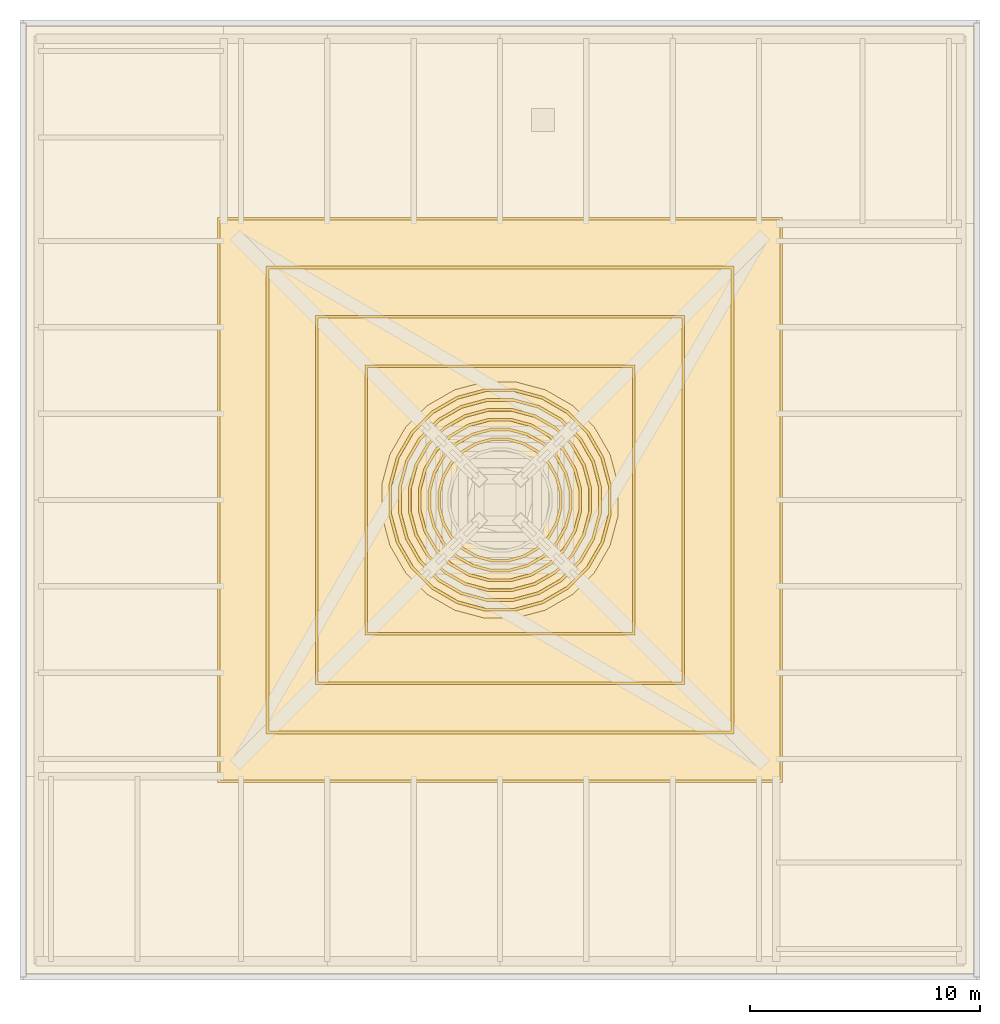
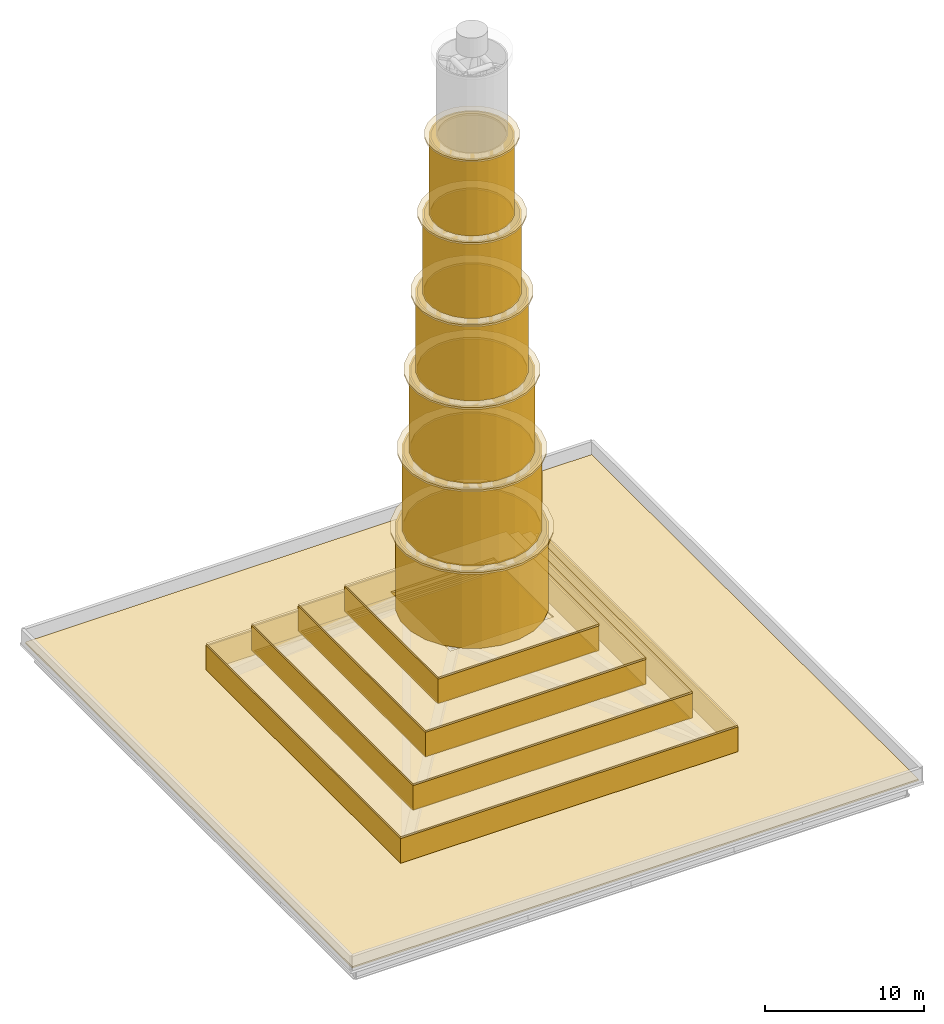
# One storey, part 3 of 4: 21 coverings.
"""IFC4 building model written with IfcOpenShell, lengths in metres."""

from ifc_helpers import new_model, si_unit, direction, frame, origin, place, context, subcontext, project, spatial, polyline, outline, extrude, material, layer, layer_set, type_object, element, save


model = new_model("IFC4")

# Units and contexts
model_context = context("Model", 3, precision=1e-05, world=origin(), true_north=direction((0.0, 1.0)))
body_context = subcontext(model_context, "Body", "Model", "MODEL_VIEW")
ifc_project = project(units=[si_unit("LENGTHUNIT", "METRE"), si_unit("AREAUNIT", "SQUARE_METRE"), si_unit("VOLUMEUNIT", "CUBIC_METRE"), si_unit("PLANEANGLEUNIT", "RADIAN"), si_unit("MASSUNIT", "GRAM", prefix="KILO")], contexts=[model_context])

# Site, building, storey
site_placement = place(None, origin())
site = spatial("IfcSite", under=ifc_project, at=site_placement, CompositionType="ELEMENT")
building_placement = place(site_placement, origin())
building = spatial("IfcBuilding", under=site, at=building_placement, Name="Tarangal Relay Tower", CompositionType="ELEMENT")
storey_placement = place(building_placement, frame((0.0, 0.0, 346.89990234375)))
storey = spatial("IfcBuildingStorey", under=building, at=storey_placement, Name="ROOF", CompositionType="ELEMENT", Elevation=346.89990234375)

# Coverings
ifc_material_1 = material(Name="Black anodised aluminium capping on aluminium rails", Category="aluminium")
ifc_layer_1 = layer(ifc_material_1, 0.14990234375)
ifc_layer_set_1 = layer_set([ifc_layer_1], Name="Crown hood capping")
covering_type_1 = type_object("IfcCoveringType", Name="Crown hood capping", PredefinedType="CLADDING", material=ifc_layer_set_1)
covering_1_placement = place(storey_placement, frame((0.0, 0.0, 2.01513671875)))
element("IfcCovering", 1, at=covering_1_placement, inside=storey, type_object=covering_type_1, Name="Crown hood tread CR2 step 1", PredefinedType="CLADDING", context=body_context, shape_type="SweptSolid", body=[
    extrude(outline(polyline([(-12.2802734375, -12.2802734375), (12.2802734375, -12.2802734375), (12.2802734375, 12.2802734375), (-12.2802734375, 12.2802734375), (-12.2802734375, -12.2802734375)]), holes=[polyline([(-10.04443359375, -10.04443359375), (10.04443359375, -10.04443359375), (10.04443359375, 10.04443359375), (-10.04443359375, 10.04443359375), (-10.04443359375, -10.04443359375)])]), origin(), (0.0, 0.0, 1.0), 0.14990234375),
])
covering_2_placement = place(storey_placement, frame((0.0, 0.0, 4.06005859375)))
element("IfcCovering", 2, at=covering_2_placement, inside=storey, type_object=covering_type_1, Name="Crown hood tread CR2 step 2", PredefinedType="CLADDING", context=body_context, shape_type="SweptSolid", body=[
    extrude(outline(polyline([(-10.164306640625, -10.164306640625), (10.164306640625, -10.164306640625), (10.164306640625, 10.164306640625), (-10.164306640625, 10.164306640625), (-10.164306640625, -10.164306640625)]), holes=[polyline([(-7.897216796875, -7.897216796875), (7.897216796875, -7.897216796875), (7.897216796875, 7.897216796875), (-7.897216796875, 7.897216796875), (-7.897216796875, -7.897216796875)])]), origin(), (0.0, 0.0, 1.0), 0.150146484375),
])
covering_3_placement = place(storey_placement, frame((0.0, 0.0, 6.10498046875)))
element("IfcCovering", 3, at=covering_3_placement, inside=storey, type_object=covering_type_1, Name="Crown hood tread CR2 step 3", PredefinedType="CLADDING", context=body_context, shape_type="SweptSolid", body=[
    extrude(outline(polyline([(-8.01708984375, -8.01708984375), (8.01708984375, -8.01708984375), (8.01708984375, 8.01708984375), (-8.01708984375, 8.01708984375), (-8.01708984375, -8.01708984375)]), holes=[polyline([(-5.75, -5.75), (5.75, -5.75), (5.75, 5.75), (-5.75, 5.75), (-5.75, -5.75)])]), origin(), (0.0, 0.0, 1.0), 0.150146484375),
])
covering_4_placement = place(storey_placement, frame((0.0, 0.0, 8.150146484375)))
element("IfcCovering", 4, at=covering_4_placement, inside=storey, type_object=covering_type_1, Name="Crown hood collar CR2 step 4", PredefinedType="CLADDING", context=body_context, shape_type="SweptSolid", body=[
    extrude(outline(polyline([(-5.869873046875, -5.869873046875), (5.869873046875, -5.869873046875), (5.869873046875, 5.869873046875), (-5.869873046875, 5.869873046875), (-5.869873046875, -5.869873046875)]), holes=[polyline([(-3.752685546875, -3.752685546875), (3.752685546875, -3.752685546875), (3.752685546875, 3.752685546875), (-3.752685546875, 3.752685546875), (-3.752685546875, -3.752685546875)])]), origin(), (0.0, 0.0, 1.0), 0.14990234375),
])
ifc_material_2 = material(Name="Black anodised aluminium rainscreen panel on aluminium rails", Category="aluminium")
ifc_layer_2 = layer(ifc_material_2, 0.1201171875)
ifc_layer_set_2 = layer_set([ifc_layer_2], Name="Crown hood panel")
covering_type_2 = type_object("IfcCoveringType", Name="Crown hood panel", PredefinedType="CLADDING", material=ifc_layer_set_2)
covering_5_placement = place(storey_placement, frame((0.0, 0.0, 0.1201171875)))
element("IfcCovering", 5, at=covering_5_placement, inside=storey, type_object=covering_type_2, Name="Crown hood riser CR1 step 1", PredefinedType="CLADDING", context=body_context, shape_type="SweptSolid", body=[
    extrude(outline(polyline([(-12.2802734375, -12.2802734375), (12.2802734375, -12.2802734375), (12.2802734375, 12.2802734375), (-12.2802734375, 12.2802734375), (-12.2802734375, -12.2802734375)]), holes=[polyline([(-12.16015625, -12.16015625), (12.16015625, -12.16015625), (12.16015625, 12.16015625), (-12.16015625, 12.16015625), (-12.16015625, -12.16015625)])]), origin(), (0.0, 0.0, 1.0), 1.89501953125),
])
covering_6_placement = place(storey_placement, frame((0.0, 0.0, 2.1650390625)))
element("IfcCovering", 6, at=covering_6_placement, inside=storey, type_object=covering_type_2, Name="Crown hood riser CR1 step 2", PredefinedType="CLADDING", context=body_context, shape_type="SweptSolid", body=[
    extrude(outline(polyline([(-10.164306640625, -10.164306640625), (10.164306640625, -10.164306640625), (10.164306640625, 10.164306640625), (-10.164306640625, 10.164306640625), (-10.164306640625, -10.164306640625)]), holes=[polyline([(-10.04443359375, -10.04443359375), (10.04443359375, -10.04443359375), (10.04443359375, 10.04443359375), (-10.04443359375, 10.04443359375), (-10.04443359375, -10.04443359375)])]), origin(), (0.0, 0.0, 1.0), 1.89501953125),
])
covering_7_placement = place(storey_placement, frame((0.0, 0.0, 4.210205078125)))
element("IfcCovering", 7, at=covering_7_placement, inside=storey, type_object=covering_type_2, Name="Crown hood riser CR1 step 3", PredefinedType="CLADDING", context=body_context, shape_type="SweptSolid", body=[
    extrude(outline(polyline([(-8.01708984375, -8.01708984375), (8.01708984375, -8.01708984375), (8.01708984375, 8.01708984375), (-8.01708984375, 8.01708984375), (-8.01708984375, -8.01708984375)]), holes=[polyline([(-7.897216796875, -7.897216796875), (7.897216796875, -7.897216796875), (7.897216796875, 7.897216796875), (-7.897216796875, 7.897216796875), (-7.897216796875, -7.897216796875)])]), origin(), (0.0, 0.0, 1.0), 1.894775390625),
])
covering_8_placement = place(storey_placement, frame((0.0, 0.0, 6.255126953125)))
element("IfcCovering", 8, at=covering_8_placement, inside=storey, type_object=covering_type_2, Name="Crown hood riser CR1 step 4", PredefinedType="CLADDING", context=body_context, shape_type="SweptSolid", body=[
    extrude(outline(polyline([(-5.869873046875, -5.869873046875), (5.869873046875, -5.869873046875), (5.869873046875, 5.869873046875), (-5.869873046875, 5.869873046875), (-5.869873046875, -5.869873046875)]), holes=[polyline([(-5.75, -5.75), (5.75, -5.75), (5.75, 5.75), (-5.75, 5.75), (-5.75, -5.75)])]), origin(), (0.0, 0.0, 1.0), 1.89501953125),
])
ifc_material_3 = material(Name="Dark tinted laminated glass in black aluminium frames", Category="aluminium")
ifc_layer_3 = layer(ifc_material_3, 0.1201171875)
ifc_layer_set_3 = layer_set([ifc_layer_3], Name="Crown lantern band")
covering_type_3 = type_object("IfcCoveringType", Name="Crown lantern band", PredefinedType="CLADDING", material=ifc_layer_set_3)
covering_9_placement = place(storey_placement, frame((0.0, 0.0, 8.300048828125)))
element("IfcCovering", 9, at=covering_9_placement, inside=storey, type_object=covering_type_3, Name="Crown lantern band CR3", PredefinedType="CLADDING", context=body_context, shape_type="SweptSolid", body=[
    extrude(outline(polyline([(4.830322265625, 0.635986328125), (4.501220703125, 1.864501953125), (3.865234375, 2.9658203125), (2.9658203125, 3.865234375), (1.864501953125, 4.501220703125), (0.635986328125, 4.830322265625), (-0.635986328125, 4.830322265625), (-1.864501953125, 4.501220703125), (-2.9658203125, 3.865234375), (-3.865234375, 2.9658203125), (-4.501220703125, 1.864501953125), (-4.830322265625, 0.635986328125), (-4.830322265625, -0.635986328125), (-4.501220703125, -1.864501953125), (-3.865234375, -2.9658203125), (-2.9658203125, -3.865234375), (-1.864501953125, -4.501220703125), (-0.635986328125, -4.830322265625), (0.635986328125, -4.830322265625), (1.864501953125, -4.501220703125), (2.9658203125, -3.865234375), (3.865234375, -2.9658203125), (4.501220703125, -1.864501953125), (4.830322265625, -0.635986328125), (4.830322265625, 0.635986328125)]), holes=[polyline([(4.710205078125, 0.6201171875), (4.389404296875, 1.818115234375), (3.769287109375, 2.89208984375), (2.89208984375, 3.769287109375), (1.818115234375, 4.389404296875), (0.6201171875, 4.710205078125), (-0.6201171875, 4.710205078125), (-1.818115234375, 4.389404296875), (-2.89208984375, 3.769287109375), (-3.769287109375, 2.89208984375), (-4.389404296875, 1.818115234375), (-4.710205078125, 0.6201171875), (-4.710205078125, -0.6201171875), (-4.389404296875, -1.818115234375), (-3.769287109375, -2.89208984375), (-2.89208984375, -3.769287109375), (-1.818115234375, -4.389404296875), (-0.6201171875, -4.710205078125), (0.6201171875, -4.710205078125), (1.818115234375, -4.389404296875), (2.89208984375, -3.769287109375), (3.769287109375, -2.89208984375), (4.389404296875, -1.818115234375), (4.710205078125, -0.6201171875), (4.710205078125, 0.6201171875)])]), origin(), (0.0, 0.0, 1.0), 5.89306640625),
])
ifc_material_4 = material(Name="Bituminous membrane on rigid insulation", Category="plastic")
ifc_layer_4 = layer(ifc_material_4, 0.1201171875)
ifc_layer_set_4 = layer_set([ifc_layer_4], Name="Roof membrane and insulation")
covering_type_4 = type_object("IfcCoveringType", Name="Roof membrane and insulation", PredefinedType="ROOFING", material=ifc_layer_set_4)
covering_10_placement = place(storey_placement, origin())
element("IfcCovering", 10, at=covering_10_placement, inside=storey, type_object=covering_type_4, Name="Main roofing RF2", PredefinedType="ROOFING", context=body_context, shape_type="SweptSolid", body=[
    extrude(outline(polyline([(-20.60009765625, -20.60009765625), (20.60009765625, -20.60009765625), (20.60009765625, 20.60009765625), (-20.60009765625, 20.60009765625), (-20.60009765625, -20.60009765625)])), origin(), (0.0, 0.0, 1.0), 0.1201171875),
])
ifc_material_5 = material(Name="Black glass-reinforced polyester panels on aluminium rails", Category="concrete")
ifc_layer_5 = layer(ifc_material_5, 0.1201171875)
ifc_layer_set_5 = layer_set([ifc_layer_5], Name="Spire cladding band")
covering_type_5 = type_object("IfcCoveringType", Name="Spire cladding band", PredefinedType="CLADDING", material=ifc_layer_set_5)
covering_11_placement = place(storey_placement, frame((0.0, 0.0, 14.343017578125)))
element("IfcCovering", 11, at=covering_11_placement, inside=storey, type_object=covering_type_5, Name="Spire cladding band CR4 1", PredefinedType="CLADDING", context=body_context, shape_type="SweptSolid", body=[
    extrude(outline(polyline([(4.403076171875, 0.57958984375), (4.102783203125, 1.699462890625), (3.523193359375, 2.70361328125), (2.70361328125, 3.523193359375), (1.699462890625, 4.102783203125), (0.57958984375, 4.403076171875), (-0.57958984375, 4.403076171875), (-1.699462890625, 4.102783203125), (-2.70361328125, 3.523193359375), (-3.523193359375, 2.70361328125), (-4.102783203125, 1.699462890625), (-4.403076171875, 0.57958984375), (-4.403076171875, -0.57958984375), (-4.102783203125, -1.699462890625), (-3.523193359375, -2.70361328125), (-2.70361328125, -3.523193359375), (-1.699462890625, -4.102783203125), (-0.57958984375, -4.403076171875), (0.57958984375, -4.403076171875), (1.699462890625, -4.102783203125), (2.70361328125, -3.523193359375), (3.523193359375, -2.70361328125), (4.102783203125, -1.699462890625), (4.403076171875, -0.57958984375), (4.403076171875, 0.57958984375)]), holes=[polyline([(4.282958984375, 0.56396484375), (3.9912109375, 1.6533203125), (3.42724609375, 2.6298828125), (2.6298828125, 3.42724609375), (1.6533203125, 3.9912109375), (0.56396484375, 4.282958984375), (-0.56396484375, 4.282958984375), (-1.6533203125, 3.9912109375), (-2.6298828125, 3.42724609375), (-3.42724609375, 2.6298828125), (-3.9912109375, 1.6533203125), (-4.282958984375, 0.56396484375), (-4.282958984375, -0.56396484375), (-3.9912109375, -1.6533203125), (-3.42724609375, -2.6298828125), (-2.6298828125, -3.42724609375), (-1.6533203125, -3.9912109375), (-0.56396484375, -4.282958984375), (0.56396484375, -4.282958984375), (1.6533203125, -3.9912109375), (2.6298828125, -3.42724609375), (3.42724609375, -2.6298828125), (3.9912109375, -1.6533203125), (4.282958984375, -0.56396484375), (4.282958984375, 0.56396484375)])]), origin(), (0.0, 0.0, 1.0), 5.892822265625),
])
covering_12_placement = place(storey_placement, frame((0.0, 0.0, 20.3857421875)))
element("IfcCovering", 12, at=covering_12_placement, inside=storey, type_object=covering_type_5, Name="Spire cladding band CR4 2", PredefinedType="CLADDING", context=body_context, shape_type="SweptSolid", body=[
    extrude(outline(polyline([(3.9755859375, 0.5234375), (3.704833984375, 1.53466796875), (3.181396484375, 2.441162109375), (2.441162109375, 3.181396484375), (1.53466796875, 3.704833984375), (0.5234375, 3.9755859375), (-0.5234375, 3.9755859375), (-1.53466796875, 3.704833984375), (-2.441162109375, 3.181396484375), (-3.181396484375, 2.441162109375), (-3.704833984375, 1.53466796875), (-3.9755859375, 0.5234375), (-3.9755859375, -0.5234375), (-3.704833984375, -1.53466796875), (-3.181396484375, -2.441162109375), (-2.441162109375, -3.181396484375), (-1.53466796875, -3.704833984375), (-0.5234375, -3.9755859375), (0.5234375, -3.9755859375), (1.53466796875, -3.704833984375), (2.441162109375, -3.181396484375), (3.181396484375, -2.441162109375), (3.704833984375, -1.53466796875), (3.9755859375, -0.5234375), (3.9755859375, 0.5234375)]), holes=[polyline([(3.855712890625, 0.507568359375), (3.593017578125, 1.48828125), (3.085205078125, 2.367431640625), (2.367431640625, 3.085205078125), (1.48828125, 3.593017578125), (0.507568359375, 3.855712890625), (-0.507568359375, 3.855712890625), (-1.48828125, 3.593017578125), (-2.367431640625, 3.085205078125), (-3.085205078125, 2.367431640625), (-3.593017578125, 1.48828125), (-3.855712890625, 0.507568359375), (-3.855712890625, -0.507568359375), (-3.593017578125, -1.48828125), (-3.085205078125, -2.367431640625), (-2.367431640625, -3.085205078125), (-1.48828125, -3.593017578125), (-0.507568359375, -3.855712890625), (0.507568359375, -3.855712890625), (1.48828125, -3.593017578125), (2.367431640625, -3.085205078125), (3.085205078125, -2.367431640625), (3.593017578125, -1.48828125), (3.855712890625, -0.507568359375), (3.855712890625, 0.507568359375)])]), origin(), (0.0, 0.0, 1.0), 5.89306640625),
])
covering_13_placement = place(storey_placement, frame((0.0, 0.0, 26.4287109375)))
element("IfcCovering", 13, at=covering_13_placement, inside=storey, type_object=covering_type_5, Name="Spire cladding band CR4 3", PredefinedType="CLADDING", context=body_context, shape_type="SweptSolid", body=[
    extrude(outline(polyline([(3.548583984375, 0.46728515625), (3.306640625, 1.36962890625), (2.839599609375, 2.1787109375), (2.1787109375, 2.839599609375), (1.36962890625, 3.306640625), (0.46728515625, 3.548583984375), (-0.46728515625, 3.548583984375), (-1.36962890625, 3.306640625), (-2.1787109375, 2.839599609375), (-2.839599609375, 2.1787109375), (-3.306640625, 1.36962890625), (-3.548583984375, 0.46728515625), (-3.548583984375, -0.46728515625), (-3.306640625, -1.36962890625), (-2.839599609375, -2.1787109375), (-2.1787109375, -2.839599609375), (-1.36962890625, -3.306640625), (-0.46728515625, -3.548583984375), (0.46728515625, -3.548583984375), (1.36962890625, -3.306640625), (2.1787109375, -2.839599609375), (2.839599609375, -2.1787109375), (3.306640625, -1.36962890625), (3.548583984375, -0.46728515625), (3.548583984375, 0.46728515625)]), holes=[polyline([(3.428466796875, 0.451416015625), (3.19482421875, 1.323486328125), (2.743408203125, 2.10498046875), (2.10498046875, 2.743408203125), (1.323486328125, 3.19482421875), (0.451416015625, 3.428466796875), (-0.451416015625, 3.428466796875), (-1.323486328125, 3.19482421875), (-2.10498046875, 2.743408203125), (-2.743408203125, 2.10498046875), (-3.19482421875, 1.323486328125), (-3.428466796875, 0.451416015625), (-3.428466796875, -0.451416015625), (-3.19482421875, -1.323486328125), (-2.743408203125, -2.10498046875), (-2.10498046875, -2.743408203125), (-1.323486328125, -3.19482421875), (-0.451416015625, -3.428466796875), (0.451416015625, -3.428466796875), (1.323486328125, -3.19482421875), (2.10498046875, -2.743408203125), (2.743408203125, -2.10498046875), (3.19482421875, -1.323486328125), (3.428466796875, -0.451416015625), (3.428466796875, 0.451416015625)])]), origin(), (0.0, 0.0, 1.0), 5.892822265625),
])
covering_14_placement = place(storey_placement, frame((0.0, 0.0, 32.471435546875)))
element("IfcCovering", 14, at=covering_14_placement, inside=storey, type_object=covering_type_5, Name="Spire cladding band CR4 4", PredefinedType="CLADDING", context=body_context, shape_type="SweptSolid", body=[
    extrude(outline(polyline([(3.12109375, 0.410888671875), (2.908447265625, 1.20458984375), (2.49755859375, 1.91650390625), (1.91650390625, 2.49755859375), (1.20458984375, 2.908447265625), (0.410888671875, 3.12109375), (-0.410888671875, 3.12109375), (-1.20458984375, 2.908447265625), (-1.91650390625, 2.49755859375), (-2.49755859375, 1.91650390625), (-2.908447265625, 1.20458984375), (-3.12109375, 0.410888671875), (-3.12109375, -0.410888671875), (-2.908447265625, -1.20458984375), (-2.49755859375, -1.91650390625), (-1.91650390625, -2.49755859375), (-1.20458984375, -2.908447265625), (-0.410888671875, -3.12109375), (0.410888671875, -3.12109375), (1.20458984375, -2.908447265625), (1.91650390625, -2.49755859375), (2.49755859375, -1.91650390625), (2.908447265625, -1.20458984375), (3.12109375, -0.410888671875), (3.12109375, 0.410888671875)]), holes=[polyline([(3.001220703125, 0.39501953125), (2.796630859375, 1.158447265625), (2.401611328125, 1.8427734375), (1.8427734375, 2.401611328125), (1.158447265625, 2.796630859375), (0.39501953125, 3.001220703125), (-0.39501953125, 3.001220703125), (-1.158447265625, 2.796630859375), (-1.8427734375, 2.401611328125), (-2.401611328125, 1.8427734375), (-2.796630859375, 1.158447265625), (-3.001220703125, 0.39501953125), (-3.001220703125, -0.39501953125), (-2.796630859375, -1.158447265625), (-2.401611328125, -1.8427734375), (-1.8427734375, -2.401611328125), (-1.158447265625, -2.796630859375), (-0.39501953125, -3.001220703125), (0.39501953125, -3.001220703125), (1.158447265625, -2.796630859375), (1.8427734375, -2.401611328125), (2.401611328125, -1.8427734375), (2.796630859375, -1.158447265625), (3.001220703125, -0.39501953125), (3.001220703125, 0.39501953125)])]), origin(), (0.0, 0.0, 1.0), 5.89306640625),
])
covering_15_placement = place(storey_placement, frame((0.0, 0.0, 38.514404296875)))
element("IfcCovering", 15, at=covering_15_placement, inside=storey, type_object=covering_type_5, Name="Spire cladding band CR4 5", PredefinedType="CLADDING", context=body_context, shape_type="SweptSolid", body=[
    extrude(outline(polyline([(2.69384765625, 0.354736328125), (2.51025390625, 1.039794921875), (2.15576171875, 1.654052734375), (1.654052734375, 2.15576171875), (1.039794921875, 2.51025390625), (0.354736328125, 2.69384765625), (-0.354736328125, 2.69384765625), (-1.039794921875, 2.51025390625), (-1.654052734375, 2.15576171875), (-2.15576171875, 1.654052734375), (-2.51025390625, 1.039794921875), (-2.69384765625, 0.354736328125), (-2.69384765625, -0.354736328125), (-2.51025390625, -1.039794921875), (-2.15576171875, -1.654052734375), (-1.654052734375, -2.15576171875), (-1.039794921875, -2.51025390625), (-0.354736328125, -2.69384765625), (0.354736328125, -2.69384765625), (1.039794921875, -2.51025390625), (1.654052734375, -2.15576171875), (2.15576171875, -1.654052734375), (2.51025390625, -1.039794921875), (2.69384765625, -0.354736328125), (2.69384765625, 0.354736328125)]), holes=[polyline([(2.573974609375, 0.3388671875), (2.3984375, 0.993408203125), (2.0595703125, 1.580322265625), (1.580322265625, 2.0595703125), (0.993408203125, 2.3984375), (0.3388671875, 2.573974609375), (-0.3388671875, 2.573974609375), (-0.993408203125, 2.3984375), (-1.580322265625, 2.0595703125), (-2.0595703125, 1.580322265625), (-2.3984375, 0.993408203125), (-2.573974609375, 0.3388671875), (-2.573974609375, -0.3388671875), (-2.3984375, -0.993408203125), (-2.0595703125, -1.580322265625), (-1.580322265625, -2.0595703125), (-0.993408203125, -2.3984375), (-0.3388671875, -2.573974609375), (0.3388671875, -2.573974609375), (0.993408203125, -2.3984375), (1.580322265625, -2.0595703125), (2.0595703125, -1.580322265625), (2.3984375, -0.993408203125), (2.573974609375, -0.3388671875), (2.573974609375, 0.3388671875)])]), origin(), (0.0, 0.0, 1.0), 5.892822265625),
])
ifc_material_6 = material(Name="Black anodised aluminium fin on aluminium rails", Category="aluminium")
ifc_layer_6 = layer(ifc_material_6, 0.14990234375)
ifc_layer_set_6 = layer_set([ifc_layer_6], Name="Spire fin ring")
covering_type_6 = type_object("IfcCoveringType", Name="Spire fin ring", PredefinedType="CLADDING", material=ifc_layer_set_6)
covering_16_placement = place(storey_placement, frame((0.0, 0.0, 14.193115234375)))
element("IfcCovering", 16, at=covering_16_placement, inside=storey, type_object=covering_type_6, Name="Spire fin ring CR5 1", PredefinedType="CLADDING", context=body_context, shape_type="SweptSolid", body=[
    extrude(outline(polyline([(5.13037109375, 0.67529296875), (4.78076171875, 1.980224609375), (4.105224609375, 3.150146484375), (3.150146484375, 4.105224609375), (1.980224609375, 4.78076171875), (0.67529296875, 5.13037109375), (-0.67529296875, 5.13037109375), (-1.980224609375, 4.78076171875), (-3.150146484375, 4.105224609375), (-4.105224609375, 3.150146484375), (-4.78076171875, 1.980224609375), (-5.13037109375, 0.67529296875), (-5.13037109375, -0.67529296875), (-4.78076171875, -1.980224609375), (-4.105224609375, -3.150146484375), (-3.150146484375, -4.105224609375), (-1.980224609375, -4.78076171875), (-0.67529296875, -5.13037109375), (0.67529296875, -5.13037109375), (1.980224609375, -4.78076171875), (3.150146484375, -4.105224609375), (4.105224609375, -3.150146484375), (4.78076171875, -1.980224609375), (5.13037109375, -0.67529296875), (5.13037109375, 0.67529296875)]), holes=[polyline([(4.282958984375, 0.56396484375), (3.9912109375, 1.6533203125), (3.42724609375, 2.6298828125), (2.6298828125, 3.42724609375), (1.6533203125, 3.9912109375), (0.56396484375, 4.282958984375), (-0.56396484375, 4.282958984375), (-1.6533203125, 3.9912109375), (-2.6298828125, 3.42724609375), (-3.42724609375, 2.6298828125), (-3.9912109375, 1.6533203125), (-4.282958984375, 0.56396484375), (-4.282958984375, -0.56396484375), (-3.9912109375, -1.6533203125), (-3.42724609375, -2.6298828125), (-2.6298828125, -3.42724609375), (-1.6533203125, -3.9912109375), (-0.56396484375, -4.282958984375), (0.56396484375, -4.282958984375), (1.6533203125, -3.9912109375), (2.6298828125, -3.42724609375), (3.42724609375, -2.6298828125), (3.9912109375, -1.6533203125), (4.282958984375, -0.56396484375), (4.282958984375, 0.56396484375)])]), origin(), (0.0, 0.0, 1.0), 0.14990234375),
])
covering_17_placement = place(storey_placement, frame((0.0, 0.0, 20.23583984375)))
element("IfcCovering", 17, at=covering_17_placement, inside=storey, type_object=covering_type_6, Name="Spire fin ring CR5 2", PredefinedType="CLADDING", context=body_context, shape_type="SweptSolid", body=[
    extrude(outline(polyline([(4.702880859375, 0.619140625), (4.382568359375, 1.815185546875), (3.76318359375, 2.8876953125), (2.8876953125, 3.76318359375), (1.815185546875, 4.382568359375), (0.619140625, 4.702880859375), (-0.619140625, 4.702880859375), (-1.815185546875, 4.382568359375), (-2.8876953125, 3.76318359375), (-3.76318359375, 2.8876953125), (-4.382568359375, 1.815185546875), (-4.702880859375, 0.619140625), (-4.702880859375, -0.619140625), (-4.382568359375, -1.815185546875), (-3.76318359375, -2.8876953125), (-2.8876953125, -3.76318359375), (-1.815185546875, -4.382568359375), (-0.619140625, -4.702880859375), (0.619140625, -4.702880859375), (1.815185546875, -4.382568359375), (2.8876953125, -3.76318359375), (3.76318359375, -2.8876953125), (4.382568359375, -1.815185546875), (4.702880859375, -0.619140625), (4.702880859375, 0.619140625)]), holes=[polyline([(3.855712890625, 0.507568359375), (3.593017578125, 1.48828125), (3.085205078125, 2.367431640625), (2.367431640625, 3.085205078125), (1.48828125, 3.593017578125), (0.507568359375, 3.855712890625), (-0.507568359375, 3.855712890625), (-1.48828125, 3.593017578125), (-2.367431640625, 3.085205078125), (-3.085205078125, 2.367431640625), (-3.593017578125, 1.48828125), (-3.855712890625, 0.507568359375), (-3.855712890625, -0.507568359375), (-3.593017578125, -1.48828125), (-3.085205078125, -2.367431640625), (-2.367431640625, -3.085205078125), (-1.48828125, -3.593017578125), (-0.507568359375, -3.855712890625), (0.507568359375, -3.855712890625), (1.48828125, -3.593017578125), (2.367431640625, -3.085205078125), (3.085205078125, -2.367431640625), (3.593017578125, -1.48828125), (3.855712890625, -0.507568359375), (3.855712890625, 0.507568359375)])]), origin(), (0.0, 0.0, 1.0), 0.14990234375),
])
covering_18_placement = place(storey_placement, frame((0.0, 0.0, 26.27880859375)))
element("IfcCovering", 18, at=covering_18_placement, inside=storey, type_object=covering_type_6, Name="Spire fin ring CR5 3", PredefinedType="CLADDING", context=body_context, shape_type="SweptSolid", body=[
    extrude(outline(polyline([(4.275634765625, 0.56298828125), (3.984375, 1.650390625), (3.42138671875, 2.625244140625), (2.625244140625, 3.42138671875), (1.650390625, 3.984375), (0.56298828125, 4.275634765625), (-0.56298828125, 4.275634765625), (-1.650390625, 3.984375), (-2.625244140625, 3.42138671875), (-3.42138671875, 2.625244140625), (-3.984375, 1.650390625), (-4.275634765625, 0.56298828125), (-4.275634765625, -0.56298828125), (-3.984375, -1.650390625), (-3.42138671875, -2.625244140625), (-2.625244140625, -3.42138671875), (-1.650390625, -3.984375), (-0.56298828125, -4.275634765625), (0.56298828125, -4.275634765625), (1.650390625, -3.984375), (2.625244140625, -3.42138671875), (3.42138671875, -2.625244140625), (3.984375, -1.650390625), (4.275634765625, -0.56298828125), (4.275634765625, 0.56298828125)]), holes=[polyline([(3.428466796875, 0.451416015625), (3.19482421875, 1.323486328125), (2.743408203125, 2.10498046875), (2.10498046875, 2.743408203125), (1.323486328125, 3.19482421875), (0.451416015625, 3.428466796875), (-0.451416015625, 3.428466796875), (-1.323486328125, 3.19482421875), (-2.10498046875, 2.743408203125), (-2.743408203125, 2.10498046875), (-3.19482421875, 1.323486328125), (-3.428466796875, 0.451416015625), (-3.428466796875, -0.451416015625), (-3.19482421875, -1.323486328125), (-2.743408203125, -2.10498046875), (-2.10498046875, -2.743408203125), (-1.323486328125, -3.19482421875), (-0.451416015625, -3.428466796875), (0.451416015625, -3.428466796875), (1.323486328125, -3.19482421875), (2.10498046875, -2.743408203125), (2.743408203125, -2.10498046875), (3.19482421875, -1.323486328125), (3.428466796875, -0.451416015625), (3.428466796875, 0.451416015625)])]), origin(), (0.0, 0.0, 1.0), 0.14990234375),
])
covering_19_placement = place(storey_placement, frame((0.0, 0.0, 32.321533203125)))
element("IfcCovering", 19, at=covering_19_placement, inside=storey, type_object=covering_type_6, Name="Spire fin ring CR5 4", PredefinedType="CLADDING", context=body_context, shape_type="SweptSolid", body=[
    extrude(outline(polyline([(3.848388671875, 0.506591796875), (3.586181640625, 1.485595703125), (3.07958984375, 2.363037109375), (2.363037109375, 3.07958984375), (1.485595703125, 3.586181640625), (0.506591796875, 3.848388671875), (-0.506591796875, 3.848388671875), (-1.485595703125, 3.586181640625), (-2.363037109375, 3.07958984375), (-3.07958984375, 2.363037109375), (-3.586181640625, 1.485595703125), (-3.848388671875, 0.506591796875), (-3.848388671875, -0.506591796875), (-3.586181640625, -1.485595703125), (-3.07958984375, -2.363037109375), (-2.363037109375, -3.07958984375), (-1.485595703125, -3.586181640625), (-0.506591796875, -3.848388671875), (0.506591796875, -3.848388671875), (1.485595703125, -3.586181640625), (2.363037109375, -3.07958984375), (3.07958984375, -2.363037109375), (3.586181640625, -1.485595703125), (3.848388671875, -0.506591796875), (3.848388671875, 0.506591796875)]), holes=[polyline([(3.001220703125, 0.39501953125), (2.796630859375, 1.158447265625), (2.401611328125, 1.8427734375), (1.8427734375, 2.401611328125), (1.158447265625, 2.796630859375), (0.39501953125, 3.001220703125), (-0.39501953125, 3.001220703125), (-1.158447265625, 2.796630859375), (-1.8427734375, 2.401611328125), (-2.401611328125, 1.8427734375), (-2.796630859375, 1.158447265625), (-3.001220703125, 0.39501953125), (-3.001220703125, -0.39501953125), (-2.796630859375, -1.158447265625), (-2.401611328125, -1.8427734375), (-1.8427734375, -2.401611328125), (-1.158447265625, -2.796630859375), (-0.39501953125, -3.001220703125), (0.39501953125, -3.001220703125), (1.158447265625, -2.796630859375), (1.8427734375, -2.401611328125), (2.401611328125, -1.8427734375), (2.796630859375, -1.158447265625), (3.001220703125, -0.39501953125), (3.001220703125, 0.39501953125)])]), origin(), (0.0, 0.0, 1.0), 0.14990234375),
])
covering_20_placement = place(storey_placement, frame((0.0, 0.0, 38.364501953125)))
element("IfcCovering", 20, at=covering_20_placement, inside=storey, type_object=covering_type_6, Name="Spire fin ring CR5 5", PredefinedType="CLADDING", context=body_context, shape_type="SweptSolid", body=[
    extrude(outline(polyline([(3.421142578125, 0.450439453125), (3.18798828125, 1.320556640625), (2.737548828125, 2.1005859375), (2.1005859375, 2.737548828125), (1.320556640625, 3.18798828125), (0.450439453125, 3.421142578125), (-0.450439453125, 3.421142578125), (-1.320556640625, 3.18798828125), (-2.1005859375, 2.737548828125), (-2.737548828125, 2.1005859375), (-3.18798828125, 1.320556640625), (-3.421142578125, 0.450439453125), (-3.421142578125, -0.450439453125), (-3.18798828125, -1.320556640625), (-2.737548828125, -2.1005859375), (-2.1005859375, -2.737548828125), (-1.320556640625, -3.18798828125), (-0.450439453125, -3.421142578125), (0.450439453125, -3.421142578125), (1.320556640625, -3.18798828125), (2.1005859375, -2.737548828125), (2.737548828125, -2.1005859375), (3.18798828125, -1.320556640625), (3.421142578125, -0.450439453125), (3.421142578125, 0.450439453125)]), holes=[polyline([(2.573974609375, 0.3388671875), (2.3984375, 0.993408203125), (2.0595703125, 1.580322265625), (1.580322265625, 2.0595703125), (0.993408203125, 2.3984375), (0.3388671875, 2.573974609375), (-0.3388671875, 2.573974609375), (-0.993408203125, 2.3984375), (-1.580322265625, 2.0595703125), (-2.0595703125, 1.580322265625), (-2.3984375, 0.993408203125), (-2.573974609375, 0.3388671875), (-2.573974609375, -0.3388671875), (-2.3984375, -0.993408203125), (-2.0595703125, -1.580322265625), (-1.580322265625, -2.0595703125), (-0.993408203125, -2.3984375), (-0.3388671875, -2.573974609375), (0.3388671875, -2.573974609375), (0.993408203125, -2.3984375), (1.580322265625, -2.0595703125), (2.0595703125, -1.580322265625), (2.3984375, -0.993408203125), (2.573974609375, -0.3388671875), (2.573974609375, 0.3388671875)])]), origin(), (0.0, 0.0, 1.0), 0.14990234375),
])
covering_21_placement = place(storey_placement, frame((0.0, 0.0, 44.4072265625)))
element("IfcCovering", 21, at=covering_21_placement, inside=storey, type_object=covering_type_6, Name="Spire fin ring CR5 6", PredefinedType="CLADDING", context=body_context, shape_type="SweptSolid", body=[
    extrude(outline(polyline([(2.993896484375, 0.394287109375), (2.789794921875, 1.155517578125), (2.395751953125, 1.83837890625), (1.83837890625, 2.395751953125), (1.155517578125, 2.789794921875), (0.394287109375, 2.993896484375), (-0.394287109375, 2.993896484375), (-1.155517578125, 2.789794921875), (-1.83837890625, 2.395751953125), (-2.395751953125, 1.83837890625), (-2.789794921875, 1.155517578125), (-2.993896484375, 0.394287109375), (-2.993896484375, -0.394287109375), (-2.789794921875, -1.155517578125), (-2.395751953125, -1.83837890625), (-1.83837890625, -2.395751953125), (-1.155517578125, -2.789794921875), (-0.394287109375, -2.993896484375), (0.394287109375, -2.993896484375), (1.155517578125, -2.789794921875), (1.83837890625, -2.395751953125), (2.395751953125, -1.83837890625), (2.789794921875, -1.155517578125), (2.993896484375, -0.394287109375), (2.993896484375, 0.394287109375)]), holes=[polyline([(2.146484375, 0.28271484375), (2.000244140625, 0.82861328125), (1.7177734375, 1.318115234375), (1.318115234375, 1.7177734375), (0.82861328125, 2.000244140625), (0.28271484375, 2.146484375), (-0.28271484375, 2.146484375), (-0.82861328125, 2.000244140625), (-1.318115234375, 1.7177734375), (-1.7177734375, 1.318115234375), (-2.000244140625, 0.82861328125), (-2.146484375, 0.28271484375), (-2.146484375, -0.28271484375), (-2.000244140625, -0.82861328125), (-1.7177734375, -1.318115234375), (-1.318115234375, -1.7177734375), (-0.82861328125, -2.000244140625), (-0.28271484375, -2.146484375), (0.28271484375, -2.146484375), (0.82861328125, -2.000244140625), (1.318115234375, -1.7177734375), (1.7177734375, -1.318115234375), (2.000244140625, -0.82861328125), (2.146484375, -0.28271484375), (2.146484375, 0.28271484375)])]), origin(), (0.0, 0.0, 1.0), 0.14990234375),
])

save(model, "model.ifc")
